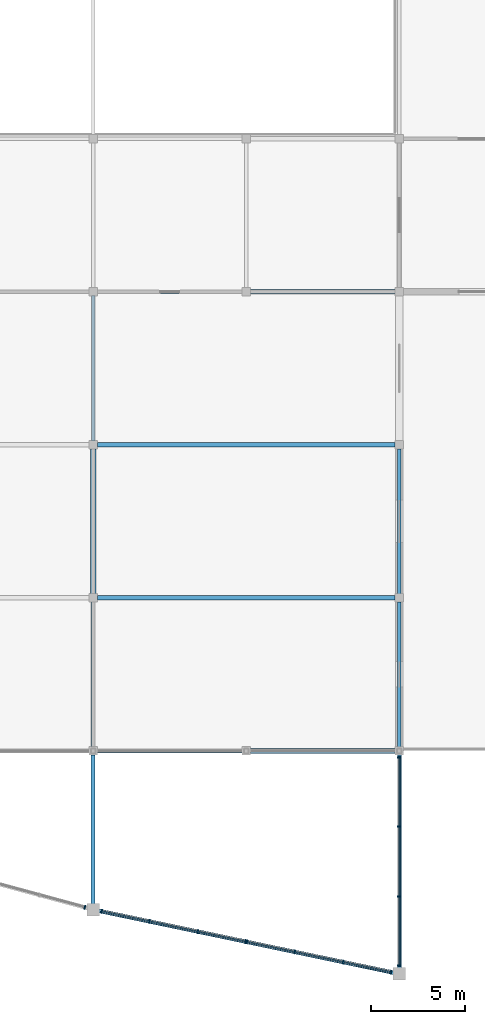
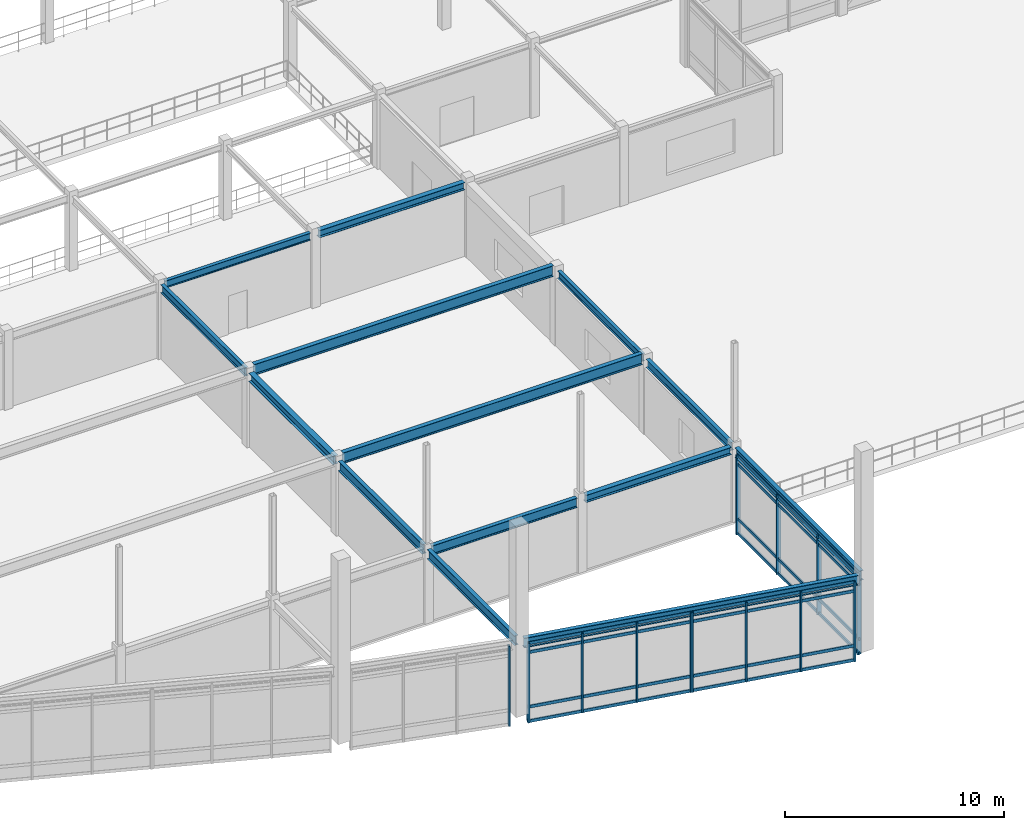
# One storey, part 24 of 89: 25 members, 14 beams, 4 elements without a shape of their own.
"""IFC4 building model written with IfcOpenShell, lengths in metres."""

from ifc_helpers import new_model, si_unit, direction, frame, origin, origin_2d, place, context, subcontext, project, spatial, rectangle, i_section, extrude, material, layer, layer_set, material_profile, profile_set, type_object, element, aggregate, save


model = new_model("IFC4")

# Units and contexts
model_context = context("Model", 3, precision=1e-05, world=origin(), true_north=direction((0.0, 1.0)))
body_context = subcontext(model_context, "Body", "Model", "MODEL_VIEW")
ifc_project = project(units=[si_unit("LENGTHUNIT", "METRE"), si_unit("AREAUNIT", "SQUARE_METRE"), si_unit("VOLUMEUNIT", "CUBIC_METRE"), si_unit("PLANEANGLEUNIT", "RADIAN"), si_unit("MASSUNIT", "GRAM", prefix="KILO")], contexts=[model_context])

# Site, building, storey
site_placement = place(None, origin())
site = spatial("IfcSite", under=ifc_project, at=site_placement, CompositionType="ELEMENT")
building_placement = place(site_placement, origin())
building = spatial("IfcBuilding", under=site, at=building_placement, Name="Vaudrelin Polytechnic", CompositionType="ELEMENT")
storey_placement = place(building_placement, frame((0.0, 0.0, 9.68994140625)))
storey = spatial("IfcBuildingStorey", under=building, at=storey_placement, Name="L02", CompositionType="ELEMENT", Elevation=9.68994140625)

# Beams
ifc_material_1 = material(Name="Steel CSA G40.21 350W", Category="steel")
ifc_material_profile_1 = material_profile(ifc_material_1, i_section(OverallWidth=0.178955078125, OverallDepth=0.409912109375, WebThickness=0.0087890625, FlangeThickness=0.014404296875, FilletRadius=0.01611328125, at=origin_2d()), Name="W410x67")
ifc_profile_set_1 = profile_set([ifc_material_profile_1], Name="Steel CSA G40.21 350W")
beam_type_1 = type_object("IfcBeamType", Name="BM-BM-W410", PredefinedType="BEAM", material=ifc_profile_set_1)
beam_1_placement = place(storey_placement, frame((81.0, 8.31005859375, 3.93505859375), z_axis=(0.0, 1.0, 0.0), x_axis=(-1.0, 0.0, 0.0)))
element("IfcBeam", 1, at=beam_1_placement, inside=storey, type_object=beam_type_1, Name="L02 Y-beam 11-2", PredefinedType="BEAM", context=body_context, shape_type="SweptSolid", body=[
    extrude(i_section(OverallWidth=0.178955078125, OverallDepth=0.409912109375, WebThickness=0.0087890625, FlangeThickness=0.014404296875, FilletRadius=0.01611328125, at=origin_2d()), origin(), (0.0, 0.0, 1.0), 7.679931640625),
])
beam_2_placement = place(storey_placement, frame((65.02099609375, 24.300048828125, 3.93505859375), z_axis=(1.0, 0.0, 0.0), x_axis=(0.0, 1.0, 0.0)))
element("IfcBeam", 2, at=beam_2_placement, inside=storey, type_object=beam_type_1, Name="L02 X-beam 9-4", PredefinedType="BEAM", context=body_context, shape_type="SweptSolid", body=[
    extrude(i_section(OverallWidth=0.178955078125, OverallDepth=0.409912109375, WebThickness=0.0087890625, FlangeThickness=0.014404296875, FilletRadius=0.01611328125, at=origin_2d()), origin(), (0.0, 0.0, 1.0), 7.657958984375),
])
ifc_material_2 = material(Name="Steel CSA G40.21 350WT", Category="steel")
ifc_material_profile_2 = material_profile(ifc_material_2, i_section(OverallWidth=0.260009765625, OverallDepth=0.4150390625, WebThickness=0.010009765625, FlangeThickness=0.016845703125, FilletRadius=0.01611328125, at=origin_2d()), Name="W410x100")
ifc_profile_set_2 = profile_set([ifc_material_profile_2], Name="Steel CSA G40.21 350WT")
beam_type_2 = type_object("IfcBeamType", Name="BM-BM-W410H", PredefinedType="SPANDREL", material=ifc_profile_set_2)
for number, where, z_axis, x_axis, name in (
    (3, (73.12109375, 0.0, 3.9326171875), (1.0, 0.0, 0.0), (0.0, 1.0, 0.0), "L02 X-beam 10-1"),
    (4, (73.12109375, 24.300048828125, 3.9326171875), (1.0, 0.0, 0.0), (0.0, 1.0, 0.0), "L02 X-beam 10-4"),
):
    element("IfcBeam", number, at=place(storey_placement, frame(where, z_axis=z_axis, x_axis=x_axis)), inside=storey, type_object=beam_type_2, Name=name, PredefinedType="SPANDREL", context=body_context, shape_type="SweptSolid", body=[
        extrude(i_section(OverallWidth=0.260009765625, OverallDepth=0.4150390625, WebThickness=0.010009765625, FlangeThickness=0.016845703125, FilletRadius=0.01611328125, at=origin_2d()), origin(), (0.0, 0.0, 1.0), 7.657958984375),
    ])
ifc_material_profile_3 = material_profile(ifc_material_2, i_section(OverallWidth=0.19091796875, OverallDepth=0.4599609375, WebThickness=0.010009765625, FlangeThickness=0.01611328125, FilletRadius=0.01806640625, at=origin_2d()), Name="W460x82")
ifc_profile_set_3 = profile_set([ifc_material_profile_3], Name="Steel CSA G40.21 350WT")
beam_type_3 = type_object("IfcBeamType", Name="BM-BM-W460", PredefinedType="BEAM", material=ifc_profile_set_3)
beam_3_placement = place(storey_placement, frame((64.800048828125, 16.409912109375, 3.91015625), z_axis=(0.0, 1.0, 0.0), x_axis=(-1.0, 0.0, 0.0)))
element("IfcBeam", 5, at=beam_3_placement, inside=storey, type_object=beam_type_3, Name="L02 Y-beam 9-3", PredefinedType="BEAM", context=body_context, shape_type="SweptSolid", body=[
    extrude(i_section(OverallWidth=0.19091796875, OverallDepth=0.4599609375, WebThickness=0.010009765625, FlangeThickness=0.01611328125, FilletRadius=0.01806640625, at=origin_2d()), origin(), (0.0, 0.0, 1.0), 7.68017578125),
])
beam_4_placement = place(storey_placement, frame((81.0, 0.2099609375, 3.91015625), z_axis=(0.0, 1.0, 0.0), x_axis=(-1.0, 0.0, 0.0)))
element("IfcBeam", 6, at=beam_4_placement, inside=storey, type_object=beam_type_3, Name="L02 Y-beam 11-1", PredefinedType="BEAM", context=body_context, shape_type="SweptSolid", body=[
    extrude(i_section(OverallWidth=0.19091796875, OverallDepth=0.4599609375, WebThickness=0.010009765625, FlangeThickness=0.01611328125, FilletRadius=0.01806640625, at=origin_2d()), origin(), (0.0, 0.0, 1.0), 7.679931640625),
])
ifc_material_profile_4 = material_profile(ifc_material_1, i_section(OverallWidth=0.280029296875, OverallDepth=0.462890625, WebThickness=0.0107421875, FlangeThickness=0.017333984375, FilletRadius=0.01806640625, at=origin_2d()), Name="W460x113")
ifc_profile_set_4 = profile_set([ifc_material_profile_4], Name="Steel CSA G40.21 350W")
beam_type_4 = type_object("IfcBeamType", Name="BM-BM-W460H", PredefinedType="BEAM", material=ifc_profile_set_4)
beam_5_placement = place(storey_placement, frame((64.800048828125, 8.31005859375, 3.908447265625), z_axis=(0.0, 1.0, 0.0), x_axis=(-1.0, 0.0, 0.0)))
element("IfcBeam", 7, at=beam_5_placement, inside=storey, type_object=beam_type_4, Name="L02 Y-beam 9-2", PredefinedType="BEAM", context=body_context, shape_type="SweptSolid", body=[
    extrude(i_section(OverallWidth=0.280029296875, OverallDepth=0.462890625, WebThickness=0.0107421875, FlangeThickness=0.017333984375, FilletRadius=0.01806640625, at=origin_2d()), origin(), (0.0, 0.0, 1.0), 7.679931640625),
])
ifc_material_profile_5 = material_profile(ifc_material_1, i_section(OverallWidth=0.208984375, OverallDepth=0.532958984375, WebThickness=0.01025390625, FlangeThickness=0.015625, FilletRadius=0.01904296875, at=origin_2d()), Name="W530x92")
ifc_profile_set_5 = profile_set([ifc_material_profile_5], Name="Steel CSA G40.21 350W")
beam_type_5 = type_object("IfcBeamType", Name="BM-BM-W530", PredefinedType="BEAM", material=ifc_profile_set_5)
beam_6_placement = place(storey_placement, frame((64.800048828125, 0.2099609375, 3.87353515625), z_axis=(0.0, 1.0, 0.0), x_axis=(-1.0, 0.0, 0.0)))
element("IfcBeam", 8, at=beam_6_placement, inside=storey, type_object=beam_type_5, Name="L02 Y-beam 9-1", PredefinedType="BEAM", context=body_context, shape_type="SweptSolid", body=[
    extrude(i_section(OverallWidth=0.208984375, OverallDepth=0.532958984375, WebThickness=0.01025390625, FlangeThickness=0.015625, FilletRadius=0.01904296875, at=origin_2d()), origin(), (0.0, 0.0, 1.0), 7.679931640625),
])
beam_7_placement = place(storey_placement, frame((65.02099609375, 0.0, 3.87353515625), z_axis=(1.0, 0.0, 0.0), x_axis=(0.0, 1.0, 0.0)))
element("IfcBeam", 9, at=beam_7_placement, inside=storey, type_object=beam_type_5, Name="L02 X-beam 9-1", PredefinedType="BEAM", context=body_context, shape_type="SweptSolid", body=[
    extrude(i_section(OverallWidth=0.208984375, OverallDepth=0.532958984375, WebThickness=0.01025390625, FlangeThickness=0.015625, FilletRadius=0.01904296875, at=origin_2d()), origin(), (0.0, 0.0, 1.0), 7.657958984375),
])
beam_8_placement = place(storey_placement, frame((64.800048828125, -8.179931640625, 3.87353515625), z_axis=(0.0, 1.0, 0.0), x_axis=(-1.0, 0.0, 0.0)))
element("IfcBeam", 10, at=beam_8_placement, inside=storey, type_object=beam_type_5, Name="Sculptural edge beam L02 V2P_TIE_8", PredefinedType="BEAM", context=body_context, shape_type="SweptSolid", body=[
    extrude(i_section(OverallWidth=0.208984375, OverallDepth=0.532958984375, WebThickness=0.01025390625, FlangeThickness=0.015625, FilletRadius=0.01904296875, at=origin_2d()), origin(), (0.0, 0.0, 1.0), 7.9599609375),
])
ifc_material_profile_6 = material_profile(ifc_material_1, i_section(OverallWidth=0.214111328125, OverallDepth=0.549072265625, WebThickness=0.0146484375, FlangeThickness=0.023681640625, FilletRadius=0.01904296875, at=origin_2d()), Name="W530x138")
ifc_profile_set_6 = profile_set([ifc_material_profile_6], Name="Steel CSA G40.21 350W")
beam_type_6 = type_object("IfcBeamType", Name="BM-BM-W530H", PredefinedType="BEAM", material=ifc_profile_set_6)
beam_9_placement = place(storey_placement, frame((65.015380859375, -8.4453125, 3.865478515625), z_axis=(0.978678204829, -0.205399540875, 0.0), x_axis=(0.205399540875, 0.978678204829, 0.0)))
element("IfcBeam", 11, at=beam_9_placement, inside=storey, type_object=beam_type_6, Name="Sculptural edge beam L02 V2P_BM_3", PredefinedType="BEAM", context=body_context, shape_type="SweptSolid", body=[
    extrude(i_section(OverallWidth=0.214111328125, OverallDepth=0.549072265625, WebThickness=0.0146484375, FlangeThickness=0.023681640625, FilletRadius=0.01904296875, at=origin_2d()), origin(), (0.0, 0.0, 1.0), 16.11279296875),
])
beam_10_placement = place(storey_placement, frame((81.0, -11.580078125, 3.865478515625), z_axis=(0.0, 1.0, 0.0), x_axis=(-1.0, 0.0, 0.0)))
element("IfcBeam", 12, at=beam_10_placement, inside=storey, type_object=beam_type_6, Name="Sculptural edge beam L02 V2P_BM_4", PredefinedType="BEAM", context=body_context, shape_type="SweptSolid", body=[
    extrude(i_section(OverallWidth=0.214111328125, OverallDepth=0.549072265625, WebThickness=0.0146484375, FlangeThickness=0.023681640625, FilletRadius=0.01904296875, at=origin_2d()), origin(), (0.0, 0.0, 1.0), 11.360107421875),
])
ifc_material_profile_7 = material_profile(ifc_material_1, i_section(OverallWidth=0.22802734375, OverallDepth=0.60791015625, WebThickness=0.01123046875, FlangeThickness=0.017333984375, FilletRadius=0.02001953125, at=origin_2d()), Name="W610x113")
ifc_profile_set_7 = profile_set([ifc_material_profile_7], Name="Steel CSA G40.21 350W")
beam_type_7 = type_object("IfcBeamType", Name="BM-BM-W610", PredefinedType="BEAM", material=ifc_profile_set_7)
for number, where, z_axis, x_axis, name in (
    (13, (65.02099609375, 8.10009765625, 4.115966796875), (1.0, 0.0, 0.0), (0.0, 1.0, 0.0), "Lecture hall clear-span girder L02-1B"),
    (14, (65.02099609375, 16.199951171875, 4.115966796875), (1.0, 0.0, 0.0), (0.0, 1.0, 0.0), "Lecture hall clear-span girder L02-2B"),
):
    element("IfcBeam", number, at=place(storey_placement, frame(where, z_axis=z_axis, x_axis=x_axis)), inside=storey, type_object=beam_type_7, Name=name, PredefinedType="BEAM", context=body_context, shape_type="SweptSolid", body=[
        extrude(i_section(OverallWidth=0.22802734375, OverallDepth=0.60791015625, WebThickness=0.01123046875, FlangeThickness=0.017333984375, FilletRadius=0.02001953125, at=origin_2d()), origin(), (0.0, 0.0, 1.0), 15.758056640625),
    ])

# Curtain wall, member
ifc_material_3 = material(Name="Thermally broken anodised aluminium AA 6063-T6 and low-e triple glazing", Category="aluminium")
ifc_layer = layer(ifc_material_3, 0.199951171875)
ifc_layer_set = layer_set([ifc_layer], Name="Thermally broken anodised aluminium AA 6063-T6 and low-e triple glazing")
curtain_wall_type = type_object("IfcCurtainWallType", Name="CW-CW-WG", PredefinedType="USERDEFINED", material=ifc_layer_set)
curtain_wall_1_placement = place(storey_placement, origin())
curtain_wall_1 = element("IfcCurtainWall", 15, at=curtain_wall_1_placement, inside=storey, type_object=curtain_wall_type, Name="Curtain wall L02 V2P_2_0", ObjectType="CURTAIN WALL", PredefinedType="USERDEFINED")
ifc_material_4 = material(Name="Anodised aluminium AA 6063-T6", Category="aluminium")
ifc_material_profile_8 = material_profile(ifc_material_4, rectangle(XDim=0.074951171875, YDim=0.219970703125, at=origin_2d()), Name="CWM-75x220")
ifc_profile_set_8 = profile_set([ifc_material_profile_8], Name="Anodised aluminium AA 6063-T6")
member_type_1 = type_object("IfcMemberType", Name="MEM-CWM-220", PredefinedType="MULLION", material=ifc_profile_set_8)
member_1_placement = place(storey_placement, frame((64.3544921875, -8.27880859375, -0.6298828125), z_axis=(0.0, 0.0, 1.0), x_axis=(0.965042039381, -0.26209513965, 0.0)))
member_1 = element("IfcMember", 16, at=member_1_placement, type_object=member_type_1, Name="V2P_2_0 mullion 4", PredefinedType="MULLION", context=body_context, shape_type="SweptSolid", body=[
    extrude(rectangle(XDim=0.074951171875, YDim=0.219970703125, at=origin_2d()), origin(), (0.0, 0.0, 1.0), 4.43994140625),
])
aggregate(curtain_wall_1, [member_1])

# Curtain wall, members
curtain_wall_2_placement = place(storey_placement, origin())
curtain_wall_2 = element("IfcCurtainWall", 17, at=curtain_wall_2_placement, inside=storey, type_object=curtain_wall_type, Name="Curtain wall L02 V2P_3_0", ObjectType="CURTAIN WALL", PredefinedType="USERDEFINED")
member_2_placement = place(storey_placement, frame((65.247314453125, -8.493896484375, -0.6298828125), z_axis=(0.0, 0.0, 1.0), x_axis=(0.978678517459, -0.205398051265, 0.0)))
member_2 = element("IfcMember", 18, at=member_2_placement, type_object=member_type_1, Name="V2P_3_0 mullion 1", PredefinedType="MULLION", context=body_context, shape_type="SweptSolid", body=[
    extrude(rectangle(XDim=0.074951171875, YDim=0.219970703125, at=origin_2d()), origin(), (0.0, 0.0, 1.0), 4.43994140625),
])
member_3_placement = place(storey_placement, frame((67.772216796875, -9.023681640625, -0.6298828125), z_axis=(0.0, 0.0, 1.0), x_axis=(0.978678517459, -0.205398051265, 0.0)))
member_3 = element("IfcMember", 19, at=member_3_placement, type_object=member_type_1, Name="V2P_3_0 mullion 2", PredefinedType="MULLION", context=body_context, shape_type="SweptSolid", body=[
    extrude(rectangle(XDim=0.074951171875, YDim=0.219970703125, at=origin_2d()), origin(), (0.0, 0.0, 1.0), 4.43994140625),
])
member_4_placement = place(storey_placement, frame((70.336181640625, -9.56201171875, -0.6298828125), z_axis=(0.0, 0.0, 1.0), x_axis=(0.978678517459, -0.205398051265, 0.0)))
member_4 = element("IfcMember", 20, at=member_4_placement, type_object=member_type_1, Name="V2P_3_0 mullion 3", PredefinedType="MULLION", context=body_context, shape_type="SweptSolid", body=[
    extrude(rectangle(XDim=0.074951171875, YDim=0.219970703125, at=origin_2d()), origin(), (0.0, 0.0, 1.0), 4.43994140625),
])
member_5_placement = place(storey_placement, frame((72.86083984375, -10.091796875, -0.6298828125), z_axis=(0.0, 0.0, 1.0), x_axis=(0.978678517459, -0.205398051265, 0.0)))
member_5 = element("IfcMember", 21, at=member_5_placement, type_object=member_type_1, Name="V2P_3_0 mullion 4", PredefinedType="MULLION", context=body_context, shape_type="SweptSolid", body=[
    extrude(rectangle(XDim=0.074951171875, YDim=0.219970703125, at=origin_2d()), origin(), (0.0, 0.0, 1.0), 4.43994140625),
])

curtain_wall_3_placement = place(storey_placement, origin())
curtain_wall_3 = element("IfcCurtainWall", 22, at=curtain_wall_3_placement, inside=storey, type_object=curtain_wall_type, Name="Curtain wall L02 V2P_3_1", ObjectType="CURTAIN WALL", PredefinedType="USERDEFINED")
member_6_placement = place(storey_placement, frame((72.939208984375, -10.108154296875, -0.6298828125), z_axis=(0.0, 0.0, 1.0), x_axis=(0.978678517459, -0.205398051265, 0.0)))
member_6 = element("IfcMember", 23, at=member_6_placement, type_object=member_type_1, Name="V2P_3_1 mullion 1", PredefinedType="MULLION", context=body_context, shape_type="SweptSolid", body=[
    extrude(rectangle(XDim=0.074951171875, YDim=0.219970703125, at=origin_2d()), origin(), (0.0, 0.0, 1.0), 4.43994140625),
])
member_7_placement = place(storey_placement, frame((75.4638671875, -10.63818359375, -0.6298828125), z_axis=(0.0, 0.0, 1.0), x_axis=(0.978678517459, -0.205398051265, 0.0)))
member_7 = element("IfcMember", 24, at=member_7_placement, type_object=member_type_1, Name="V2P_3_1 mullion 2", PredefinedType="MULLION", context=body_context, shape_type="SweptSolid", body=[
    extrude(rectangle(XDim=0.074951171875, YDim=0.219970703125, at=origin_2d()), origin(), (0.0, 0.0, 1.0), 4.43994140625),
])
member_8_placement = place(storey_placement, frame((78.02783203125, -11.17626953125, -0.6298828125), z_axis=(0.0, 0.0, 1.0), x_axis=(0.978678517459, -0.205398051265, 0.0)))
member_8 = element("IfcMember", 25, at=member_8_placement, type_object=member_type_1, Name="V2P_3_1 mullion 3", PredefinedType="MULLION", context=body_context, shape_type="SweptSolid", body=[
    extrude(rectangle(XDim=0.074951171875, YDim=0.219970703125, at=origin_2d()), origin(), (0.0, 0.0, 1.0), 4.43994140625),
])
member_9_placement = place(storey_placement, frame((80.552734375, -11.7060546875, -0.6298828125), z_axis=(0.0, 0.0, 1.0), x_axis=(0.978678517459, -0.205398051265, 0.0)))
member_9 = element("IfcMember", 26, at=member_9_placement, type_object=member_type_1, Name="V2P_3_1 mullion 4", PredefinedType="MULLION", context=body_context, shape_type="SweptSolid", body=[
    extrude(rectangle(XDim=0.074951171875, YDim=0.219970703125, at=origin_2d()), origin(), (0.0, 0.0, 1.0), 4.43994140625),
])

curtain_wall_4_placement = place(storey_placement, origin())
curtain_wall_4 = element("IfcCurtainWall", 27, at=curtain_wall_4_placement, inside=storey, type_object=curtain_wall_type, Name="Curtain wall L02 V2P_4_0", ObjectType="CURTAIN WALL", PredefinedType="USERDEFINED")
member_10_placement = place(storey_placement, frame((81.0, -11.35009765625, -0.6298828125), z_axis=(0.0, 0.0, 1.0), x_axis=(0.0, 1.0, 0.0)))
member_10 = element("IfcMember", 28, at=member_10_placement, type_object=member_type_1, Name="V2P_4_0 mullion 1", PredefinedType="MULLION", context=body_context, shape_type="SweptSolid", body=[
    extrude(rectangle(XDim=0.074951171875, YDim=0.219970703125, at=origin_2d()), origin(), (0.0, 0.0, 1.0), 4.43994140625),
])
member_11_placement = place(storey_placement, frame((81.0, -7.69677734375, -0.6298828125), z_axis=(0.0, 0.0, 1.0), x_axis=(0.0, 1.0, 0.0)))
member_11 = element("IfcMember", 29, at=member_11_placement, type_object=member_type_1, Name="V2P_4_0 mullion 2", PredefinedType="MULLION", context=body_context, shape_type="SweptSolid", body=[
    extrude(rectangle(XDim=0.074951171875, YDim=0.219970703125, at=origin_2d()), origin(), (0.0, 0.0, 1.0), 4.43994140625),
])
member_12_placement = place(storey_placement, frame((81.0, -4.00341796875, -0.6298828125), z_axis=(0.0, 0.0, 1.0), x_axis=(0.0, 1.0, 0.0)))
member_12 = element("IfcMember", 30, at=member_12_placement, type_object=member_type_1, Name="V2P_4_0 mullion 3", PredefinedType="MULLION", context=body_context, shape_type="SweptSolid", body=[
    extrude(rectangle(XDim=0.074951171875, YDim=0.219970703125, at=origin_2d()), origin(), (0.0, 0.0, 1.0), 4.43994140625),
])
member_13_placement = place(storey_placement, frame((81.0, -0.35009765625, -0.6298828125), z_axis=(0.0, 0.0, 1.0), x_axis=(0.0, 1.0, 0.0)))
member_13 = element("IfcMember", 31, at=member_13_placement, type_object=member_type_1, Name="V2P_4_0 mullion 4", PredefinedType="MULLION", context=body_context, shape_type="SweptSolid", body=[
    extrude(rectangle(XDim=0.074951171875, YDim=0.219970703125, at=origin_2d()), origin(), (0.0, 0.0, 1.0), 4.43994140625),
])

# Member
ifc_material_profile_9 = material_profile(ifc_material_4, rectangle(XDim=0.074951171875, YDim=0.1650390625, at=origin_2d()), Name="CWT-75x165")
ifc_profile_set_9 = profile_set([ifc_material_profile_9], Name="Anodised aluminium AA 6063-T6")
member_type_2 = type_object("IfcMemberType", Name="MEM-CWT-165", PredefinedType="USERDEFINED", material=ifc_profile_set_9)
member_14_placement = place(storey_placement, frame((65.208251953125, -8.485595703125, -0.579833984375), z_axis=(0.978672548536, -0.205426489874, 0.0), x_axis=(0.205426489874, 0.978672548536, 0.0)))
member_14 = element("IfcMember", 32, at=member_14_placement, type_object=member_type_2, Name="V2P_3_0 transom 1", ObjectType="TRANSOM", PredefinedType="USERDEFINED", context=body_context, shape_type="SweptSolid", body=[
    extrude(rectangle(XDim=0.074951171875, YDim=0.1650390625, at=origin_2d()), origin(), (0.0, 0.0, 1.0), 7.859375),
])

member_15_placement = place(storey_placement, frame((65.208251953125, -8.485595703125, 0.219970703125), z_axis=(0.978672548536, -0.205426489874, 0.0), x_axis=(0.205426489874, 0.978672548536, 0.0)))
member_15 = element("IfcMember", 33, at=member_15_placement, type_object=member_type_2, Name="V2P_3_0 transom 2", ObjectType="TRANSOM", PredefinedType="USERDEFINED", context=body_context, shape_type="SweptSolid", body=[
    extrude(rectangle(XDim=0.074951171875, YDim=0.1650390625, at=origin_2d()), origin(), (0.0, 0.0, 1.0), 7.859375),
])

member_16_placement = place(storey_placement, frame((65.208251953125, -8.485595703125, 3.260009765625), z_axis=(0.978672548536, -0.205426489874, 0.0), x_axis=(0.205426489874, 0.978672548536, 0.0)))
member_16 = element("IfcMember", 34, at=member_16_placement, type_object=member_type_2, Name="V2P_3_0 transom 3", ObjectType="TRANSOM", PredefinedType="USERDEFINED", context=body_context, shape_type="SweptSolid", body=[
    extrude(rectangle(XDim=0.074951171875, YDim=0.1650390625, at=origin_2d()), origin(), (0.0, 0.0, 1.0), 7.859375),
])

member_17_placement = place(storey_placement, frame((65.208251953125, -8.485595703125, 3.760009765625), z_axis=(0.978672548536, -0.205426489874, 0.0), x_axis=(0.205426489874, 0.978672548536, 0.0)))
member_17 = element("IfcMember", 35, at=member_17_placement, type_object=member_type_2, Name="V2P_3_0 transom 4", ObjectType="TRANSOM", PredefinedType="USERDEFINED", context=body_context, shape_type="SweptSolid", body=[
    extrude(rectangle(XDim=0.074951171875, YDim=0.1650390625, at=origin_2d()), origin(), (0.0, 0.0, 1.0), 7.859375),
])

aggregate(curtain_wall_2, [member_2, member_3, member_4, member_5, member_14, member_15, member_16, member_17])

member_18_placement = place(storey_placement, frame((72.89990234375, -10.10009765625, -0.579833984375), z_axis=(0.978680103874, -0.205390492186, 0.0), x_axis=(0.205390492186, 0.978680103874, 0.0)))
member_18 = element("IfcMember", 36, at=member_18_placement, type_object=member_type_2, Name="V2P_3_1 transom 1", ObjectType="TRANSOM", PredefinedType="USERDEFINED", context=body_context, shape_type="SweptSolid", body=[
    extrude(rectangle(XDim=0.074951171875, YDim=0.1650390625, at=origin_2d()), origin(), (0.0, 0.0, 1.0), 7.859375),
])

member_19_placement = place(storey_placement, frame((72.89990234375, -10.10009765625, 0.219970703125), z_axis=(0.978680103874, -0.205390492186, 0.0), x_axis=(0.205390492186, 0.978680103874, 0.0)))
member_19 = element("IfcMember", 37, at=member_19_placement, type_object=member_type_2, Name="V2P_3_1 transom 2", ObjectType="TRANSOM", PredefinedType="USERDEFINED", context=body_context, shape_type="SweptSolid", body=[
    extrude(rectangle(XDim=0.074951171875, YDim=0.1650390625, at=origin_2d()), origin(), (0.0, 0.0, 1.0), 7.859375),
])

member_20_placement = place(storey_placement, frame((72.89990234375, -10.10009765625, 3.260009765625), z_axis=(0.978680103874, -0.205390492186, 0.0), x_axis=(0.205390492186, 0.978680103874, 0.0)))
member_20 = element("IfcMember", 38, at=member_20_placement, type_object=member_type_2, Name="V2P_3_1 transom 3", ObjectType="TRANSOM", PredefinedType="USERDEFINED", context=body_context, shape_type="SweptSolid", body=[
    extrude(rectangle(XDim=0.074951171875, YDim=0.1650390625, at=origin_2d()), origin(), (0.0, 0.0, 1.0), 7.859375),
])

member_21_placement = place(storey_placement, frame((72.89990234375, -10.10009765625, 3.760009765625), z_axis=(0.978680103874, -0.205390492186, 0.0), x_axis=(0.205390492186, 0.978680103874, 0.0)))
member_21 = element("IfcMember", 39, at=member_21_placement, type_object=member_type_2, Name="V2P_3_1 transom 4", ObjectType="TRANSOM", PredefinedType="USERDEFINED", context=body_context, shape_type="SweptSolid", body=[
    extrude(rectangle(XDim=0.074951171875, YDim=0.1650390625, at=origin_2d()), origin(), (0.0, 0.0, 1.0), 7.859375),
])

aggregate(curtain_wall_3, [member_6, member_7, member_8, member_9, member_18, member_19, member_20, member_21])

member_22_placement = place(storey_placement, frame((81.0, -11.389892578125, -0.579833984375), z_axis=(0.0, 1.0, 0.0), x_axis=(-1.0, 0.0, 0.0)))
member_22 = element("IfcMember", 40, at=member_22_placement, type_object=member_type_2, Name="V2P_4_0 transom 1", ObjectType="TRANSOM", PredefinedType="USERDEFINED", context=body_context, shape_type="SweptSolid", body=[
    extrude(rectangle(XDim=0.074951171875, YDim=0.1650390625, at=origin_2d()), origin(), (0.0, 0.0, 1.0), 11.079833984375),
])

member_23_placement = place(storey_placement, frame((81.0, -11.389892578125, 0.219970703125), z_axis=(0.0, 1.0, 0.0), x_axis=(-1.0, 0.0, 0.0)))
member_23 = element("IfcMember", 41, at=member_23_placement, type_object=member_type_2, Name="V2P_4_0 transom 2", ObjectType="TRANSOM", PredefinedType="USERDEFINED", context=body_context, shape_type="SweptSolid", body=[
    extrude(rectangle(XDim=0.074951171875, YDim=0.1650390625, at=origin_2d()), origin(), (0.0, 0.0, 1.0), 11.079833984375),
])

member_24_placement = place(storey_placement, frame((81.0, -11.389892578125, 3.260009765625), z_axis=(0.0, 1.0, 0.0), x_axis=(-1.0, 0.0, 0.0)))
member_24 = element("IfcMember", 42, at=member_24_placement, type_object=member_type_2, Name="V2P_4_0 transom 3", ObjectType="TRANSOM", PredefinedType="USERDEFINED", context=body_context, shape_type="SweptSolid", body=[
    extrude(rectangle(XDim=0.074951171875, YDim=0.1650390625, at=origin_2d()), origin(), (0.0, 0.0, 1.0), 11.079833984375),
])

member_25_placement = place(storey_placement, frame((81.0, -11.389892578125, 3.760009765625), z_axis=(0.0, 1.0, 0.0), x_axis=(-1.0, 0.0, 0.0)))
member_25 = element("IfcMember", 43, at=member_25_placement, type_object=member_type_2, Name="V2P_4_0 transom 4", ObjectType="TRANSOM", PredefinedType="USERDEFINED", context=body_context, shape_type="SweptSolid", body=[
    extrude(rectangle(XDim=0.074951171875, YDim=0.1650390625, at=origin_2d()), origin(), (0.0, 0.0, 1.0), 11.079833984375),
])

aggregate(curtain_wall_4, [member_10, member_11, member_12, member_13, member_22, member_23, member_24, member_25])

save(model, "model.ifc")
